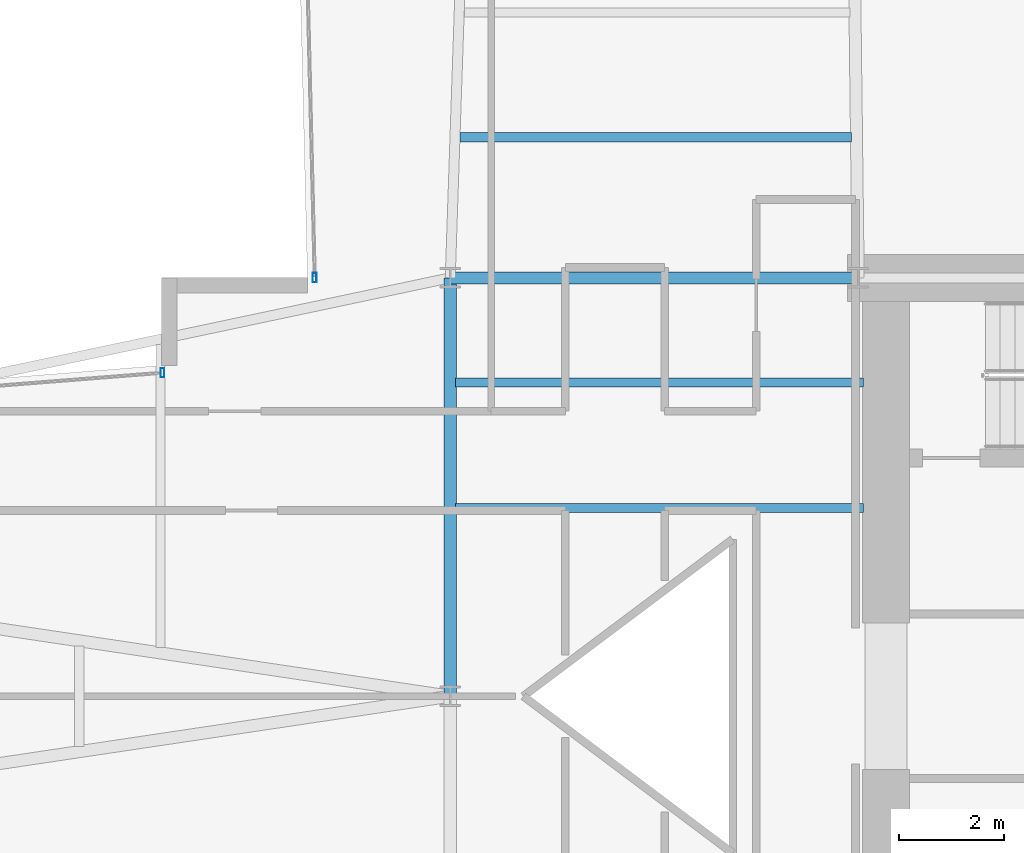
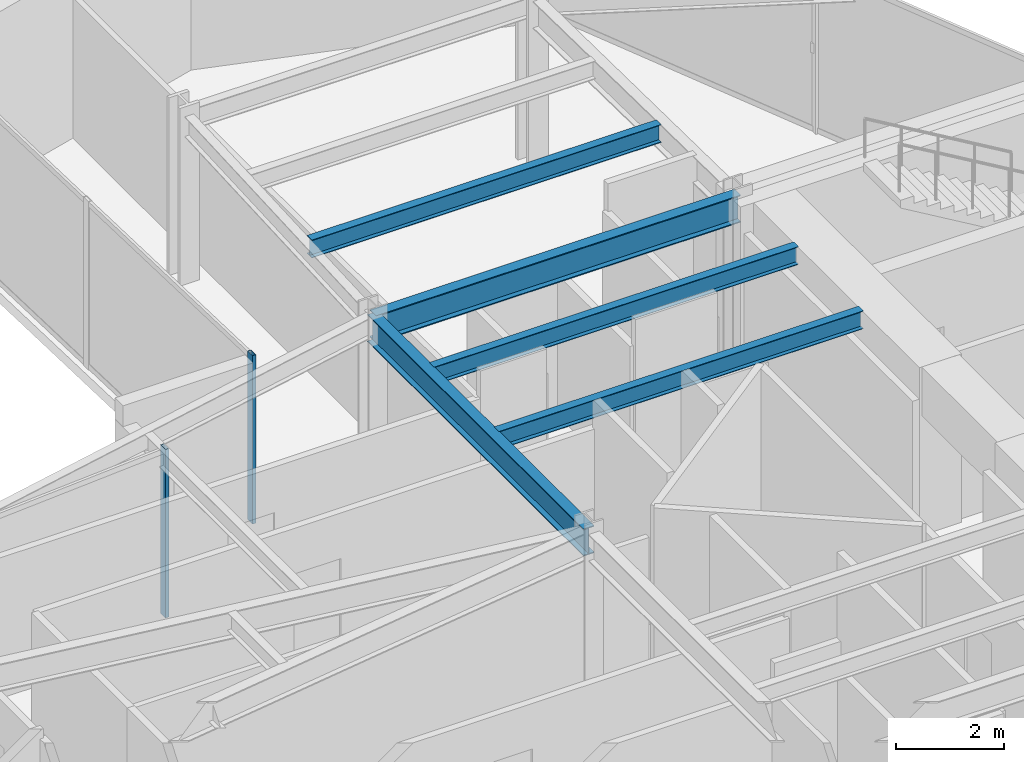
# One storey, part 9 of 25: 5 beams, 2 members, 2 elements without a shape of their own.
"""IFC4 building model written with IfcOpenShell, lengths in metres."""

from ifc_helpers import new_model, si_unit, direction, frame, origin, origin_2d, place, context, subcontext, project, spatial, hollow_rectangle, i_section, extrude, material, layer, layer_set, material_profile, profile_set, type_object, element, aggregate, save


model = new_model("IFC4")

# Units and contexts
model_context = context("Model", 3, precision=1e-05, world=origin(), true_north=direction((0.0, 1.0)))
body_context = subcontext(model_context, "Body", "Model", "MODEL_VIEW")
ifc_project = project(units=[si_unit("LENGTHUNIT", "METRE"), si_unit("AREAUNIT", "SQUARE_METRE"), si_unit("VOLUMEUNIT", "CUBIC_METRE"), si_unit("PLANEANGLEUNIT", "RADIAN"), si_unit("MASSUNIT", "GRAM", prefix="KILO")], contexts=[model_context])

# Site, building, storey
site_placement = place(None, origin())
site = spatial("IfcSite", under=ifc_project, at=site_placement, CompositionType="ELEMENT")
building_placement = place(site_placement, origin())
building = spatial("IfcBuilding", under=site, at=building_placement, Name="Veymaron Broadcast Tower", CompositionType="ELEMENT")
storey_placement = place(building_placement, frame((0.0, 0.0, 74.25)))
storey = spatial("IfcBuildingStorey", under=building, at=storey_placement, Name="L16", CompositionType="ELEMENT", Elevation=74.25)

# Beams
ifc_material_1 = material(Name="Structural steel ASTM A992 Gr 50", Category="steel")
ifc_material_profile_1 = material_profile(ifc_material_1, i_section(OverallWidth=0.22998046875, OverallDepth=0.616943359375, WebThickness=0.01318359375, FlangeThickness=0.022216796875, at=origin_2d()), Name="W610X140")
ifc_profile_set_1 = profile_set([ifc_material_profile_1], Name="Structural steel ASTM A992 Gr 50")
beam_type_1 = type_object("IfcBeamType", Name="BM-FG1", PredefinedType="BEAM", material=ifc_profile_set_1)
beam_1_placement = place(storey_placement, frame((31.199951171875, 24.0, 3.50146484375), z_axis=(0.0, 1.0, 0.0), x_axis=(-1.0, 0.0, 0.0)))
element("IfcBeam", 1, at=beam_1_placement, inside=storey, type_object=beam_type_1, Name="L16 primary structural floor girder", PredefinedType="BEAM", context=body_context, shape_type="SweptSolid", body=[
    extrude(i_section(OverallWidth=0.22998046875, OverallDepth=0.616943359375, WebThickness=0.01318359375, FlangeThickness=0.022216796875, at=origin_2d()), origin(), (0.0, 0.0, 1.0), 8.0),
])
beam_2_placement = place(storey_placement, frame((31.199951171875, 32.0, 3.50146484375), z_axis=(1.0, 0.0, 0.0), x_axis=(0.0, 1.0, 0.0)))
element("IfcBeam", 2, at=beam_2_placement, inside=storey, type_object=beam_type_1, Name="L16 primary structural floor girder", PredefinedType="BEAM", context=body_context, shape_type="SweptSolid", body=[
    extrude(i_section(OverallWidth=0.22998046875, OverallDepth=0.616943359375, WebThickness=0.01318359375, FlangeThickness=0.022216796875, at=origin_2d()), origin(), (0.0, 0.0, 1.0), 7.800048828125),
])
ifc_material_profile_2 = material_profile(ifc_material_1, i_section(OverallWidth=0.177978515625, OverallDepth=0.406982421875, WebThickness=0.0078125, FlangeThickness=0.0126953125, at=origin_2d()), Name="W410X60")
ifc_profile_set_2 = profile_set([ifc_material_profile_2], Name="Structural steel ASTM A992 Gr 50")
beam_type_2 = type_object("IfcBeamType", Name="BM-JS1", PredefinedType="JOIST", material=ifc_profile_set_2)
beam_3_placement = place(storey_placement, frame((31.390625, 34.685546875, 3.6064453125), z_axis=(1.0, 0.0, 0.0), x_axis=(0.0, 1.0, 0.0)))
element("IfcBeam", 3, at=beam_3_placement, inside=storey, type_object=beam_type_2, Name="L16 Arm-B secondary joist 1", PredefinedType="JOIST", context=body_context, shape_type="SweptSolid", body=[
    extrude(i_section(OverallWidth=0.177978515625, OverallDepth=0.406982421875, WebThickness=0.0078125, FlangeThickness=0.0126953125, at=origin_2d()), origin(), (0.0, 0.0, 1.0), 7.47705078125),
])
for number, where, z_axis, x_axis, name in (
    (4, (31.300048828125, 27.60009765625, 3.6064453125), (1.0, 0.0, 0.0), (0.0, 1.0, 0.0), "L16 Hub secondary joist 3"),
    (5, (31.300048828125, 30.0, 3.6064453125), (1.0, 0.0, 0.0), (0.0, 1.0, 0.0), "L16 Hub secondary joist 4"),
):
    element("IfcBeam", number, at=place(storey_placement, frame(where, z_axis=z_axis, x_axis=x_axis)), inside=storey, type_object=beam_type_2, Name=name, PredefinedType="JOIST", context=body_context, shape_type="SweptSolid", body=[
        extrude(i_section(OverallWidth=0.177978515625, OverallDepth=0.406982421875, WebThickness=0.0078125, FlangeThickness=0.0126953125, at=origin_2d()), origin(), (0.0, 0.0, 1.0), 7.800048828125),
    ])

# Curtain wall, member
ifc_material_2 = material(Name="Anodised aluminium AA 6063-T6 and laminated low-E dark glass", Category="aluminium")
ifc_layer = layer(ifc_material_2, 0.179931640625)
ifc_layer_set = layer_set([ifc_layer], Name="Anodised aluminium AA 6063-T6 and laminated low-E dark glass")
curtain_wall_type = type_object("IfcCurtainWallType", Name="CW-SYS-02", PredefinedType="NOTDEFINED", material=ifc_layer_set)
curtain_wall_1_placement = place(storey_placement, origin())
curtain_wall_1 = element("IfcCurtainWall", 6, at=curtain_wall_1_placement, inside=storey, type_object=curtain_wall_type, Name="L16 dark-glass curtain wall CW-L16-E8-1", PredefinedType="NOTDEFINED")
ifc_material_3 = material(Name="Anodised aluminium AA 6063-T6", Category="aluminium")
ifc_material_profile_3 = material_profile(ifc_material_3, hollow_rectangle(XDim=0.074951171875, YDim=0.179931640625, WallThickness=0.0048828125, at=origin_2d()), Name="AL180X75X5")
ifc_profile_set_3 = profile_set([ifc_material_profile_3], Name="Anodised aluminium AA 6063-T6")
member_type = type_object("IfcMemberType", Name="CW-MUL-02", PredefinedType="MULLION", material=ifc_profile_set_3)
member_1_placement = place(storey_placement, frame((28.6083984375, 32.00341796875, 0.0), z_axis=(0.0, 0.0, 1.0), x_axis=(1.0, 0.0, 0.0)))
member_1 = element("IfcMember", 7, at=member_1_placement, type_object=member_type, Name="CW-L16-E8-1 mullion 2", PredefinedType="MULLION", context=body_context, shape_type="SweptSolid", body=[
    extrude(hollow_rectangle(XDim=0.074951171875, YDim=0.179931640625, WallThickness=0.0048828125, at=origin_2d()), origin(), (0.0, 0.0, 1.0), 3.81005859375),
])
aggregate(curtain_wall_1, [member_1])

curtain_wall_2_placement = place(storey_placement, origin())
curtain_wall_2 = element("IfcCurtainWall", 8, at=curtain_wall_2_placement, inside=storey, type_object=curtain_wall_type, Name="L16 dark-glass curtain wall CW-L16-E11-1", PredefinedType="NOTDEFINED")
member_2_placement = place(storey_placement, frame((25.698974609375, 30.18505859375, 0.0), z_axis=(0.0, 0.0, 1.0), x_axis=(1.0, 0.0, 0.0)))
member_2 = element("IfcMember", 9, at=member_2_placement, type_object=member_type, Name="CW-L16-E11-1 mullion 0", PredefinedType="MULLION", context=body_context, shape_type="SweptSolid", body=[
    extrude(hollow_rectangle(XDim=0.074951171875, YDim=0.179931640625, WallThickness=0.0048828125, at=origin_2d()), origin(), (0.0, 0.0, 1.0), 3.81005859375),
])
aggregate(curtain_wall_2, [member_2])

save(model, "model.ifc")
